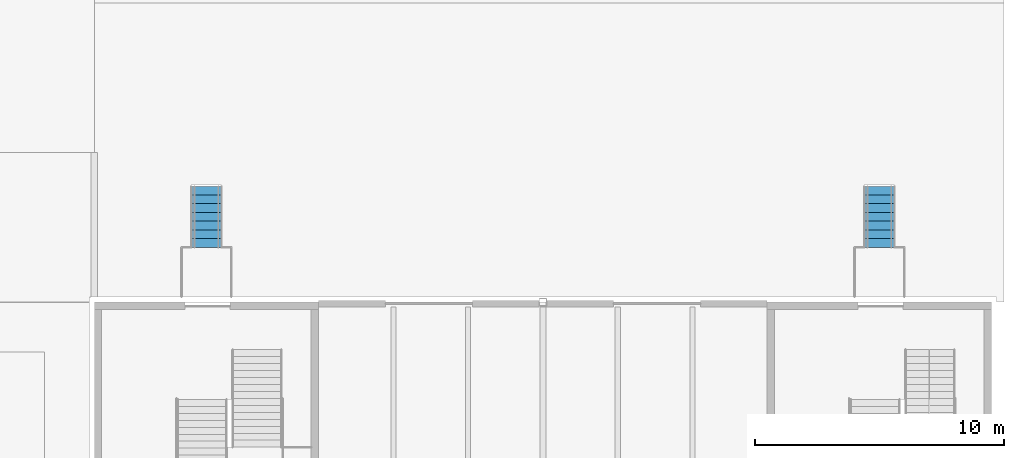
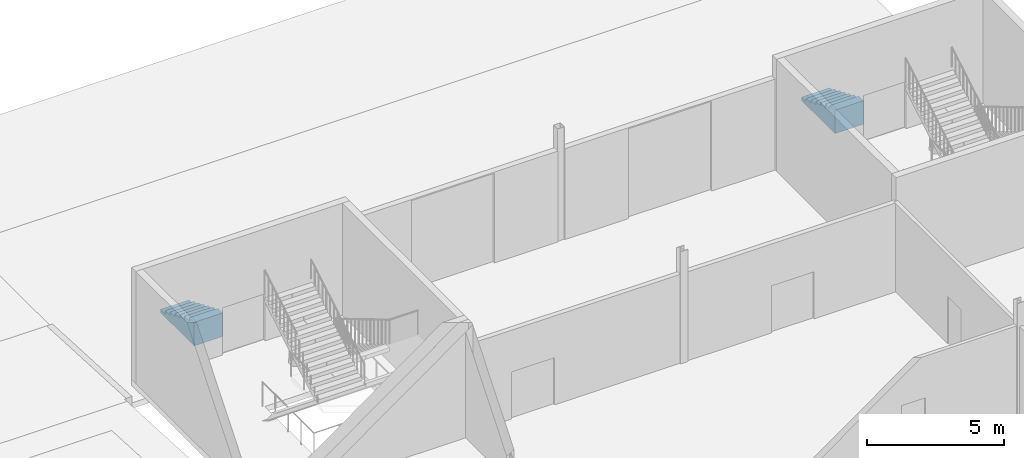
# One storey, part 43 of 63: 2 stair flights, 2 elements without a shape of their own.
"""IFC4 building model written with IfcOpenShell, lengths in metres."""

from ifc_helpers import new_model, si_unit, direction, frame, origin, place, context, subcontext, project, spatial, polyline, outline, extrude, material, type_object, element, aggregate, save


model = new_model("IFC4")

# Units and contexts
model_context = context("Model", 3, precision=1e-05, world=origin(), true_north=direction((0.0, 1.0)))
body_context = subcontext(model_context, "Body", "Model", "MODEL_VIEW")
ifc_project = project(units=[si_unit("LENGTHUNIT", "METRE"), si_unit("AREAUNIT", "SQUARE_METRE"), si_unit("VOLUMEUNIT", "CUBIC_METRE"), si_unit("PLANEANGLEUNIT", "RADIAN"), si_unit("MASSUNIT", "GRAM", prefix="KILO")], contexts=[model_context])

# Site, building, storey
site_placement = place(None, origin())
site = spatial("IfcSite", under=ifc_project, at=site_placement, CompositionType="ELEMENT")
building_placement = place(site_placement, origin())
building = spatial("IfcBuilding", under=site, at=building_placement, Name="Halyard Row Museum", CompositionType="ELEMENT")
storey_placement = place(building_placement, origin())
storey = spatial("IfcBuildingStorey", under=building, at=storey_placement, Name="L00", CompositionType="ELEMENT", Elevation=0.0)

# Stair, stair flight
ifc_material_1 = material(Name="Concrete 40 MPa", Category="concrete")
stair_type = type_object("IfcStairType", Name="External steps 1200 wide", PredefinedType="STRAIGHT_RUN_STAIR", material=ifc_material_1)
stair_1_placement = place(storey_placement, origin())
stair_1 = element("IfcStair", 1, at=stair_1_placement, inside=storey, type_object=stair_type, Name="External steps K5A", PredefinedType="STRAIGHT_RUN_STAIR")
ifc_material_2 = material(Name="Concrete 40 MPa", Category="concrete")
stair_flight_type = type_object("IfcStairFlightType", Name="External step flight 1200 wide", PredefinedType="STRAIGHT", material=ifc_material_2)
stair_flight_1_placement = place(storey_placement, frame((76.5, 67.64990234375, -1.199951171875), z_axis=(0.0, 0.0, 1.0), x_axis=(0.0, -1.0, 0.0)))
stair_flight_1 = element("IfcStairFlight", 2, at=stair_flight_1_placement, type_object=stair_flight_type, Name="STK5A-X flight 1", NumberOfRisers=8, NumberOfTreads=7, PredefinedType="STRAIGHT", RiserHeight=0.15, TreadLength=0.35, context=body_context, shape_type="SweptSolid", body=[
    extrude(outline(polyline([(0.0, 0.0), (0.0, 0.14990234375), (0.35009765625, 0.14990234375), (0.35009765625, 0.300048828125), (0.699951171875, 0.300048828125), (0.699951171875, 0.449951171875), (1.050048828125, 0.449951171875), (1.050048828125, 0.60009765625), (1.39990234375, 0.60009765625), (1.39990234375, 0.75), (1.75, 0.75), (1.75, 0.89990234375), (2.10009765625, 0.89990234375), (2.10009765625, 1.050048828125), (2.449951171875, 1.050048828125), (2.449951171875, 1.199951171875), (2.449951171875, 0.002197265625), (2.445068359375, 0.0), (0.0, 0.0)])), frame((0.0, 0.60009765625, 0.0), z_axis=(0.0, -1.0, 0.0), x_axis=(1.0, 0.0, 0.0)), (0.0, 0.0, 1.0), 1.199951171875),
])
aggregate(stair_1, [stair_flight_1])

stair_2_placement = place(storey_placement, origin())
stair_2 = element("IfcStair", 3, at=stair_2_placement, inside=storey, type_object=stair_type, Name="External steps K5B", PredefinedType="STRAIGHT_RUN_STAIR")
stair_flight_2_placement = place(storey_placement, frame((103.5, 67.64990234375, -1.199951171875), z_axis=(0.0, 0.0, 1.0), x_axis=(0.0, -1.0, 0.0)))
stair_flight_2 = element("IfcStairFlight", 4, at=stair_flight_2_placement, type_object=stair_flight_type, Name="STK5B-X flight 1", NumberOfRisers=8, NumberOfTreads=7, PredefinedType="STRAIGHT", RiserHeight=0.15, TreadLength=0.35, context=body_context, shape_type="SweptSolid", body=[
    extrude(outline(polyline([(0.0, 0.0), (0.0, 0.14990234375), (0.35009765625, 0.14990234375), (0.35009765625, 0.300048828125), (0.699951171875, 0.300048828125), (0.699951171875, 0.449951171875), (1.050048828125, 0.449951171875), (1.050048828125, 0.60009765625), (1.39990234375, 0.60009765625), (1.39990234375, 0.75), (1.75, 0.75), (1.75, 0.89990234375), (2.10009765625, 0.89990234375), (2.10009765625, 1.050048828125), (2.449951171875, 1.050048828125), (2.449951171875, 1.199951171875), (2.449951171875, 0.002197265625), (2.445068359375, 0.0), (0.0, 0.0)])), frame((0.0, 0.60009765625, 0.0), z_axis=(0.0, -1.0, 0.0), x_axis=(1.0, 0.0, 0.0)), (0.0, 0.0, 1.0), 1.199951171875),
])
aggregate(stair_2, [stair_flight_2])

save(model, "model.ifc")
